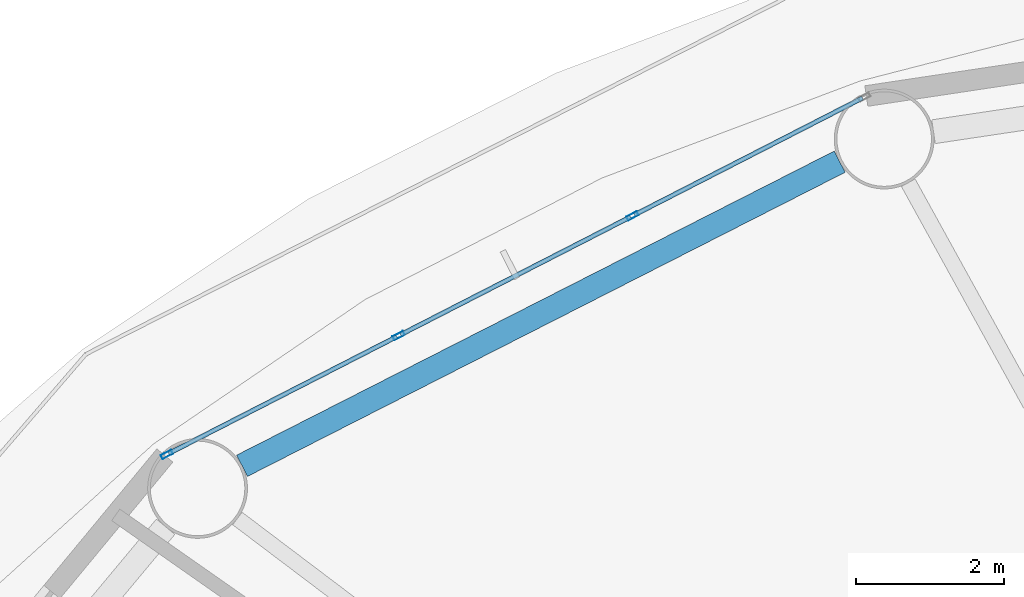
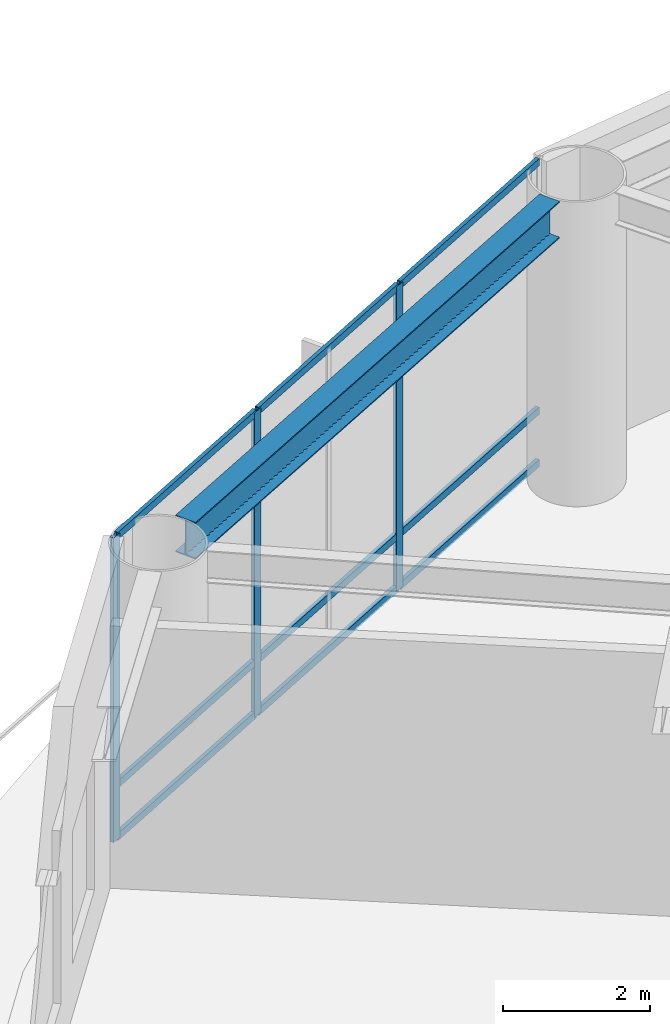
# One storey, part 11 of 25: 12 members, 1 beam, 1 element without a shape of its own.
"""IFC4 building model written with IfcOpenShell, lengths in metres."""

from ifc_helpers import new_model, si_unit, direction, frame, origin, origin_2d, place, context, subcontext, project, spatial, hollow_rectangle, i_section, extrude, material, layer, layer_set, material_profile, profile_set, type_object, element, aggregate, save


model = new_model("IFC4")

# Units and contexts
model_context = context("Model", 3, precision=1e-05, world=origin(), true_north=direction((0.0, 1.0)))
body_context = subcontext(model_context, "Body", "Model", "MODEL_VIEW")
ifc_project = project(units=[si_unit("LENGTHUNIT", "METRE"), si_unit("AREAUNIT", "SQUARE_METRE"), si_unit("VOLUMEUNIT", "CUBIC_METRE"), si_unit("PLANEANGLEUNIT", "RADIAN"), si_unit("MASSUNIT", "GRAM", prefix="KILO")], contexts=[model_context])

# Site, building, storey
site_placement = place(None, origin())
site = spatial("IfcSite", under=ifc_project, at=site_placement, CompositionType="ELEMENT")
building_placement = place(site_placement, origin())
building = spatial("IfcBuilding", under=site, at=building_placement, Name="Sarneth Arch Tower", CompositionType="ELEMENT")
storey_placement = place(building_placement, frame((0.0, 0.0, 134.39990234375)))
storey = spatial("IfcBuildingStorey", under=building, at=storey_placement, Name="L34", CompositionType="ELEMENT", Elevation=134.39990234375)

# Beam
ifc_material_1 = material(Name="Steel S355", Category="steel")
ifc_material_profile_1 = material_profile(ifc_material_1, i_section(OverallWidth=0.323974609375, OverallDepth=0.611083984375, WebThickness=0.0126953125, FlangeThickness=0.01904296875, FilletRadius=0.01904296875, at=origin_2d()), Name="W610x155")
ifc_profile_set_1 = profile_set([ifc_material_profile_1], Name="Steel S355")
beam_type = type_object("IfcBeamType", Name="BM-SPAN-610B", PredefinedType="SPANDREL", material=ifc_profile_set_1)
beam_placement = place(storey_placement, frame((36.2880859375, 61.83447265625, 4.74462890625), z_axis=(-0.891255891792, -0.453500755619, 0.0), x_axis=(0.453500755619, -0.891255891792, 0.0)))
element("IfcBeam", 1, at=beam_placement, inside=storey, type_object=beam_type, Name="L34 Perimeter spandrel beam 06", PredefinedType="SPANDREL", context=body_context, shape_type="SweptSolid", body=[
    extrude(i_section(OverallWidth=0.323974609375, OverallDepth=0.611083984375, WebThickness=0.0126953125, FlangeThickness=0.01904296875, FilletRadius=0.01904296875, at=origin_2d()), origin(), (0.0, 0.0, 1.0), 9.070556640625),
])

# Curtain wall, members
ifc_material_2 = material(Name="Anodised aluminium Type AA25 and solar-control low-e laminated IGU", Category="aluminium")
ifc_layer = layer(ifc_material_2, 0.159912109375)
ifc_layer_set = layer_set([ifc_layer], Name="Anodised aluminium Type AA25 and solar-control low-e laminated IGU")
curtain_wall_type = type_object("IfcCurtainWallType", Name="CW-HOTEL-MID", PredefinedType="NOTDEFINED", material=ifc_layer_set)
curtain_wall_placement = place(storey_placement, origin())
curtain_wall = element("IfcCurtainWall", 2, at=curtain_wall_placement, inside=storey, type_object=curtain_wall_type, Name="L34 Unitised curtain wall facet 06", PredefinedType="NOTDEFINED")
ifc_material_3 = material(Name="Anodised Aluminium 6063-T6", Category="aluminium")
ifc_material_profile_2 = material_profile(ifc_material_3, hollow_rectangle(XDim=0.06005859375, YDim=0.159912109375, WallThickness=0.00390625, at=origin_2d()), Name="AL-MULL-160x60x4")
ifc_profile_set_2 = profile_set([ifc_material_profile_2], Name="Anodised Aluminium 6063-T6")
member_type_1 = type_object("IfcMemberType", Name="CW-MULLION", PredefinedType="MULLION", material=ifc_profile_set_2)
member_1_placement = place(storey_placement, frame((33.48583984375, 61.101806640625, 0.0), z_axis=(0.0, 0.0, 1.0), x_axis=(0.456031365356, -0.889963703649, 0.0)))
member_1 = element("IfcMember", 3, at=member_1_placement, type_object=member_type_1, Name="CW-SYS-4 mullion 2", PredefinedType="MULLION", context=body_context, shape_type="SweptSolid", body=[
    extrude(hollow_rectangle(XDim=0.06005859375, YDim=0.159912109375, WallThickness=0.00390625, at=origin_2d()), origin(), (0.0, 0.0, 1.0), 5.050048828125),
])
member_2_placement = place(storey_placement, frame((30.322998046875, 59.481201171875, 0.0), z_axis=(0.0, 0.0, 1.0), x_axis=(0.456031365356, -0.889963703649, 0.0)))
member_2 = element("IfcMember", 4, at=member_2_placement, type_object=member_type_1, Name="CW-SYS-4 mullion 3", PredefinedType="MULLION", context=body_context, shape_type="SweptSolid", body=[
    extrude(hollow_rectangle(XDim=0.06005859375, YDim=0.159912109375, WallThickness=0.00390625, at=origin_2d()), origin(), (0.0, 0.0, 1.0), 5.050048828125),
])
member_3_placement = place(storey_placement, frame((27.186767578125, 57.8740234375, 0.0), z_axis=(0.0, 0.0, 1.0), x_axis=(0.456031365356, -0.889963703649, 0.0)))
member_3 = element("IfcMember", 5, at=member_3_placement, type_object=member_type_1, Name="CW-SYS-4 mullion 4", PredefinedType="MULLION", context=body_context, shape_type="SweptSolid", body=[
    extrude(hollow_rectangle(XDim=0.06005859375, YDim=0.159912109375, WallThickness=0.00390625, at=origin_2d()), origin(), (0.0, 0.0, 1.0), 5.050048828125),
])
ifc_material_4 = material(Name="Anodised Aluminium 6063-T6", Category="aluminium")
ifc_material_profile_3 = material_profile(ifc_material_4, hollow_rectangle(XDim=0.06005859375, YDim=0.1201171875, WallThickness=0.00390625, at=origin_2d()), Name="AL-TRAN-120x60x4")
ifc_profile_set_3 = profile_set([ifc_material_profile_3], Name="Anodised Aluminium 6063-T6")
member_type_2 = type_object("IfcMemberType", Name="CW-TRANSOM", PredefinedType="USERDEFINED", material=ifc_profile_set_3)
member_4_placement = place(storey_placement, frame((36.595458984375, 62.6953125, 0.030029296875), z_axis=(-0.889957563627, -0.456043347658, 0.0), x_axis=(0.456043347658, -0.889957563627, 0.0)))
member_4 = element("IfcMember", 6, at=member_4_placement, type_object=member_type_2, Name="CW-SYS-4 transom 1.1", ObjectType="TRANSOM", PredefinedType="USERDEFINED", context=body_context, shape_type="SweptSolid", body=[
    extrude(hollow_rectangle(XDim=0.06005859375, YDim=0.1201171875, WallThickness=0.00390625, at=origin_2d()), origin(), (0.0, 0.0, 1.0), 3.464111328125),
])
member_5_placement = place(storey_placement, frame((36.595458984375, 62.6953125, 0.900146484375), z_axis=(-0.889957563627, -0.456043347658, 0.0), x_axis=(0.456043347658, -0.889957563627, 0.0)))
member_5 = element("IfcMember", 7, at=member_5_placement, type_object=member_type_2, Name="CW-SYS-4 transom 1.2", ObjectType="TRANSOM", PredefinedType="USERDEFINED", context=body_context, shape_type="SweptSolid", body=[
    extrude(hollow_rectangle(XDim=0.06005859375, YDim=0.1201171875, WallThickness=0.00390625, at=origin_2d()), origin(), (0.0, 0.0, 1.0), 3.464111328125),
])
member_6_placement = place(storey_placement, frame((36.595458984375, 62.6953125, 5.02001953125), z_axis=(-0.889957563627, -0.456043347658, 0.0), x_axis=(0.456043347658, -0.889957563627, 0.0)))
member_6 = element("IfcMember", 8, at=member_6_placement, type_object=member_type_2, Name="CW-SYS-4 transom 1.3", ObjectType="TRANSOM", PredefinedType="USERDEFINED", context=body_context, shape_type="SweptSolid", body=[
    extrude(hollow_rectangle(XDim=0.06005859375, YDim=0.1201171875, WallThickness=0.00390625, at=origin_2d()), origin(), (0.0, 0.0, 1.0), 3.464111328125),
])
member_7_placement = place(storey_placement, frame((33.459228515625, 61.088134765625, 0.030029296875), z_axis=(-0.889981813856, -0.455996020823, 0.0), x_axis=(0.455996020823, -0.889981813856, 0.0)))
member_7 = element("IfcMember", 9, at=member_7_placement, type_object=member_type_2, Name="CW-SYS-4 transom 2.1", ObjectType="TRANSOM", PredefinedType="USERDEFINED", context=body_context, shape_type="SweptSolid", body=[
    extrude(hollow_rectangle(XDim=0.06005859375, YDim=0.1201171875, WallThickness=0.00390625, at=origin_2d()), origin(), (0.0, 0.0, 1.0), 3.494140625),
])
member_8_placement = place(storey_placement, frame((33.459228515625, 61.088134765625, 0.900146484375), z_axis=(-0.889981813856, -0.455996020823, 0.0), x_axis=(0.455996020823, -0.889981813856, 0.0)))
member_8 = element("IfcMember", 10, at=member_8_placement, type_object=member_type_2, Name="CW-SYS-4 transom 2.2", ObjectType="TRANSOM", PredefinedType="USERDEFINED", context=body_context, shape_type="SweptSolid", body=[
    extrude(hollow_rectangle(XDim=0.06005859375, YDim=0.1201171875, WallThickness=0.00390625, at=origin_2d()), origin(), (0.0, 0.0, 1.0), 3.494140625),
])
member_9_placement = place(storey_placement, frame((33.459228515625, 61.088134765625, 5.02001953125), z_axis=(-0.889981813856, -0.455996020823, 0.0), x_axis=(0.455996020823, -0.889981813856, 0.0)))
member_9 = element("IfcMember", 11, at=member_9_placement, type_object=member_type_2, Name="CW-SYS-4 transom 2.3", ObjectType="TRANSOM", PredefinedType="USERDEFINED", context=body_context, shape_type="SweptSolid", body=[
    extrude(hollow_rectangle(XDim=0.06005859375, YDim=0.1201171875, WallThickness=0.00390625, at=origin_2d()), origin(), (0.0, 0.0, 1.0), 3.494140625),
])
member_10_placement = place(storey_placement, frame((30.296142578125, 59.467529296875, 0.030029296875), z_axis=(-0.889942905184, -0.456071952122, 0.0), x_axis=(0.456071952122, -0.889942905184, 0.0)))
member_10 = element("IfcMember", 12, at=member_10_placement, type_object=member_type_2, Name="CW-SYS-4 transom 3.1", ObjectType="TRANSOM", PredefinedType="USERDEFINED", context=body_context, shape_type="SweptSolid", body=[
    extrude(hollow_rectangle(XDim=0.06005859375, YDim=0.1201171875, WallThickness=0.00390625, at=origin_2d()), origin(), (0.0, 0.0, 1.0), 3.464111328125),
])
member_11_placement = place(storey_placement, frame((30.296142578125, 59.467529296875, 0.900146484375), z_axis=(-0.889942905184, -0.456071952122, 0.0), x_axis=(0.456071952122, -0.889942905184, 0.0)))
member_11 = element("IfcMember", 13, at=member_11_placement, type_object=member_type_2, Name="CW-SYS-4 transom 3.2", ObjectType="TRANSOM", PredefinedType="USERDEFINED", context=body_context, shape_type="SweptSolid", body=[
    extrude(hollow_rectangle(XDim=0.06005859375, YDim=0.1201171875, WallThickness=0.00390625, at=origin_2d()), origin(), (0.0, 0.0, 1.0), 3.464111328125),
])
member_12_placement = place(storey_placement, frame((30.296142578125, 59.467529296875, 5.02001953125), z_axis=(-0.889942905184, -0.456071952122, 0.0), x_axis=(0.456071952122, -0.889942905184, 0.0)))
member_12 = element("IfcMember", 14, at=member_12_placement, type_object=member_type_2, Name="CW-SYS-4 transom 3.3", ObjectType="TRANSOM", PredefinedType="USERDEFINED", context=body_context, shape_type="SweptSolid", body=[
    extrude(hollow_rectangle(XDim=0.06005859375, YDim=0.1201171875, WallThickness=0.00390625, at=origin_2d()), origin(), (0.0, 0.0, 1.0), 3.464111328125),
])
aggregate(curtain_wall, [member_1, member_2, member_3, member_4, member_5, member_6, member_7, member_8, member_9, member_10, member_11, member_12])

save(model, "model.ifc")
